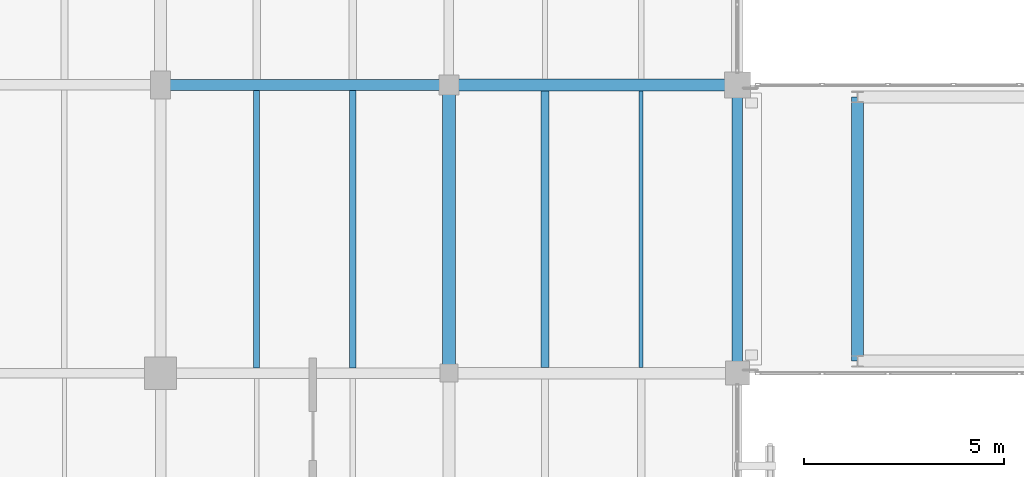
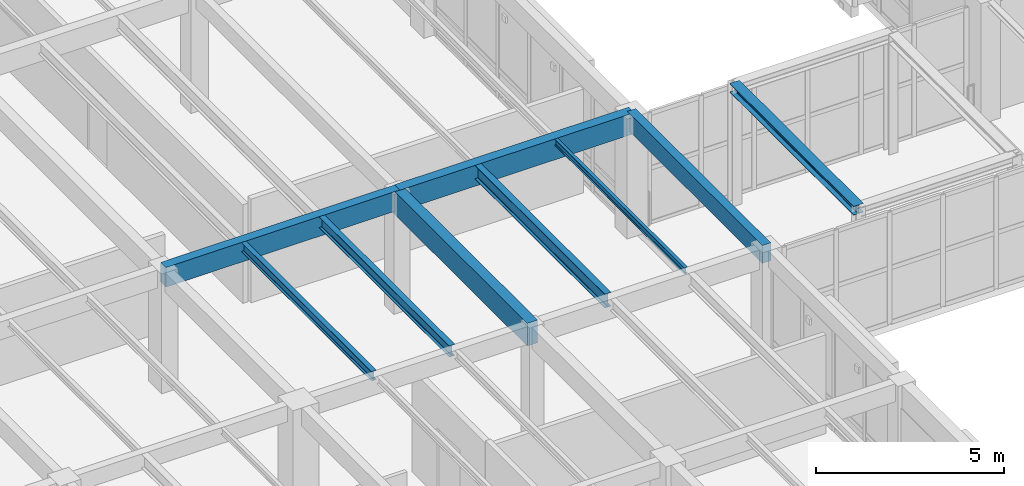
# One storey, part 65 of 170: 9 beams.
"""IFC4 building model written with IfcOpenShell, lengths in metres."""

from ifc_helpers import new_model, si_unit, direction, frame, origin, origin_2d, place, context, subcontext, project, spatial, rectangle, i_section, extrude, material, material_profile, profile_set, type_object, element, save


model = new_model("IFC4")

# Units and contexts
model_context = context("Model", 3, precision=1e-05, world=origin(), true_north=direction((0.0, 1.0)))
body_context = subcontext(model_context, "Body", "Model", "MODEL_VIEW")
ifc_project = project(units=[si_unit("LENGTHUNIT", "METRE"), si_unit("AREAUNIT", "SQUARE_METRE"), si_unit("VOLUMEUNIT", "CUBIC_METRE"), si_unit("PLANEANGLEUNIT", "RADIAN"), si_unit("MASSUNIT", "GRAM", prefix="KILO")], contexts=[model_context])

# Site, building, storey
site_placement = place(None, origin())
site = spatial("IfcSite", under=ifc_project, at=site_placement, CompositionType="ELEMENT")
building_placement = place(site_placement, origin())
building = spatial("IfcBuilding", under=site, at=building_placement, Name="Mazaris Harbour Polytechnic", CompositionType="ELEMENT")
storey_placement = place(building_placement, frame((0.0, 0.0, 5.39990234375)))
storey = spatial("IfcBuildingStorey", under=building, at=storey_placement, Name="L01", CompositionType="ELEMENT", Elevation=5.39990234375)

# Beams
ifc_material_1 = material(Name="Glulam GL32h", Category="wood")
ifc_material_profile_1 = material_profile(ifc_material_1, rectangle(XDim=0.260009765625, YDim=0.580078125, at=origin_2d()), Name="RECT260x580")
ifc_profile_set_1 = profile_set([ifc_material_profile_1], Name="Glulam GL32h")
beam_type_1 = type_object("IfcBeamType", Name="Glulam Girder 260x580 Exterior", PredefinedType="BEAM", material=ifc_profile_set_1)
beam_1_placement = place(storey_placement, frame((43.199951171875, 75.60009765625, 3.60009765625), z_axis=(0.0, 1.0, 0.0), x_axis=(-1.0, 0.0, 0.0)))
element("IfcBeam", 1, at=beam_1_placement, inside=storey, type_object=beam_type_1, Name="V4 L01 Tie Girder 1771", PredefinedType="BEAM", context=body_context, shape_type="SweptSolid", body=[
    extrude(rectangle(XDim=0.260009765625, YDim=0.580078125, at=origin_2d()), origin(), (0.0, 0.0, 1.0), 7.199951171875),
])
ifc_material_2 = material(Name="Glulam GL32h", Category="wood")
ifc_material_profile_2 = material_profile(ifc_material_2, rectangle(XDim=0.280029296875, YDim=0.639892578125, at=origin_2d()), Name="RECT280x640")
ifc_profile_set_2 = profile_set([ifc_material_profile_2], Name="Glulam GL32h")
beam_type_2 = type_object("IfcBeamType", Name="Glulam Girder 280x640", PredefinedType="BEAM", material=ifc_profile_set_2)
beam_2_placement = place(storey_placement, frame((28.800048828125, 82.800048828125, 3.570068359375), z_axis=(1.0, 0.0, 0.0), x_axis=(0.0, 1.0, 0.0)))
element("IfcBeam", 2, at=beam_2_placement, inside=storey, type_object=beam_type_2, Name="V4 L01 Girder 1682", PredefinedType="BEAM", context=body_context, shape_type="SweptSolid", body=[
    extrude(rectangle(XDim=0.280029296875, YDim=0.639892578125, at=origin_2d()), origin(), (0.0, 0.0, 1.0), 7.199951171875),
])
ifc_material_3 = material(Name="Glulam GL32h", Category="wood")
ifc_material_profile_3 = material_profile(ifc_material_3, rectangle(XDim=0.300048828125, YDim=0.679931640625, at=origin_2d()), Name="RECT300x680")
ifc_profile_set_3 = profile_set([ifc_material_profile_3], Name="Glulam GL32h")
beam_type_3 = type_object("IfcBeamType", Name="Glulam Girder 300x680", PredefinedType="BEAM", material=ifc_profile_set_3)
beam_3_placement = place(storey_placement, frame((36.0, 82.800048828125, 3.550048828125), z_axis=(1.0, 0.0, 0.0), x_axis=(0.0, 1.0, 0.0)))
element("IfcBeam", 3, at=beam_3_placement, inside=storey, type_object=beam_type_3, Name="V4 L01 Girder 1683", PredefinedType="BEAM", context=body_context, shape_type="SweptSolid", body=[
    extrude(rectangle(XDim=0.300048828125, YDim=0.679931640625, at=origin_2d()), origin(), (0.0, 0.0, 1.0), 7.199951171875),
])
ifc_material_4 = material(Name="Glulam GL32h", Category="wood")
ifc_material_profile_4 = material_profile(ifc_material_4, rectangle(XDim=0.320068359375, YDim=0.739990234375, at=origin_2d()), Name="RECT320x740")
ifc_profile_set_4 = profile_set([ifc_material_profile_4], Name="Glulam GL32h")
beam_type_4 = type_object("IfcBeamType", Name="Glulam Girder 320x740", PredefinedType="BEAM", material=ifc_profile_set_4)
beam_4_placement = place(storey_placement, frame((36.0, 75.60009765625, 3.52001953125), z_axis=(0.0, 1.0, 0.0), x_axis=(-1.0, 0.0, 0.0)))
element("IfcBeam", 4, at=beam_4_placement, inside=storey, type_object=beam_type_4, Name="V4 L01 Tie Girder 1759", PredefinedType="BEAM", context=body_context, shape_type="SweptSolid", body=[
    extrude(rectangle(XDim=0.320068359375, YDim=0.739990234375, at=origin_2d()), origin(), (0.0, 0.0, 1.0), 7.199951171875),
])
ifc_material_5 = material(Name="Steel S355", Category="steel")
ifc_material_profile_5 = material_profile(ifc_material_5, i_section(OverallWidth=0.300048828125, OverallDepth=0.2900390625, WebThickness=0.008544921875, FlangeThickness=0.013916015625, FilletRadius=0.027099609375, at=origin_2d()), Name="HEA 300")
ifc_profile_set_5 = profile_set([ifc_material_profile_5], Name="Steel S355")
beam_type_5 = type_object("IfcBeamType", Name="Steel Beam HEA300 Exterior", PredefinedType="SPANDREL", material=ifc_profile_set_5)
beam_5_placement = place(storey_placement, frame((46.199951171875, 75.89990234375, 3.7900390625), z_axis=(0.0, 1.0, 0.0), x_axis=(-1.0, 0.0, 0.0)))
element("IfcBeam", 5, at=beam_5_placement, inside=storey, type_object=beam_type_5, Name="PB-W2 L01 Bridge Beam 3428", PredefinedType="SPANDREL", context=body_context, shape_type="SweptSolid", body=[
    extrude(i_section(OverallWidth=0.300048828125, OverallDepth=0.2900390625, WebThickness=0.008544921875, FlangeThickness=0.013916015625, FilletRadius=0.027099609375, at=origin_2d()), origin(), (0.0, 0.0, 1.0), 6.60009765625),
])
ifc_material_6 = material(Name="Steel S355", Category="steel")
ifc_material_profile_6 = material_profile(ifc_material_6, i_section(OverallWidth=0.10009765625, OverallDepth=0.199951171875, WebThickness=0.005615234375, FlangeThickness=0.008544921875, FilletRadius=0.011962890625, at=origin_2d()), Name="IPE 200")
ifc_profile_set_6 = profile_set([ifc_material_profile_6], Name="Steel S355")
beam_type_6 = type_object("IfcBeamType", Name="Steel Joist IPE200", PredefinedType="JOIST", material=ifc_profile_set_6)
beam_6_placement = place(storey_placement, frame((40.800048828125, 75.739990234375, 3.7900390625), z_axis=(0.0, 1.0, 0.0), x_axis=(-1.0, 0.0, 0.0)))
element("IfcBeam", 6, at=beam_6_placement, inside=storey, type_object=beam_type_6, Name="V4 L01 Floor Joist 1890", PredefinedType="JOIST", context=body_context, shape_type="SweptSolid", body=[
    extrude(i_section(OverallWidth=0.10009765625, OverallDepth=0.199951171875, WebThickness=0.005615234375, FlangeThickness=0.008544921875, FilletRadius=0.011962890625, at=origin_2d()), origin(), (0.0, 0.0, 1.0), 6.909912109375),
])
ifc_material_7 = material(Name="Steel S355", Category="steel")
ifc_material_profile_7 = material_profile(ifc_material_7, i_section(OverallWidth=0.14990234375, OverallDepth=0.300048828125, WebThickness=0.007080078125, FlangeThickness=0.0107421875, FilletRadius=0.014892578125, at=origin_2d()), Name="IPE 300")
ifc_profile_set_7 = profile_set([ifc_material_profile_7], Name="Steel S355")
beam_type_7 = type_object("IfcBeamType", Name="Steel Joist IPE300", PredefinedType="JOIST", material=ifc_profile_set_7)
beam_7_placement = place(storey_placement, frame((31.199951171875, 75.72998046875, 3.739990234375), z_axis=(0.0, 1.0, 0.0), x_axis=(-1.0, 0.0, 0.0)))
element("IfcBeam", 7, at=beam_7_placement, inside=storey, type_object=beam_type_7, Name="V4 L01 Floor Joist 1865", PredefinedType="JOIST", context=body_context, shape_type="SweptSolid", body=[
    extrude(i_section(OverallWidth=0.14990234375, OverallDepth=0.300048828125, WebThickness=0.007080078125, FlangeThickness=0.0107421875, FilletRadius=0.014892578125, at=origin_2d()), origin(), (0.0, 0.0, 1.0), 6.929931640625),
])
ifc_material_8 = material(Name="Steel S355", Category="steel")
ifc_material_profile_8 = material_profile(ifc_material_8, i_section(OverallWidth=0.169921875, OverallDepth=0.360107421875, WebThickness=0.008056640625, FlangeThickness=0.0126953125, FilletRadius=0.01806640625, at=origin_2d()), Name="IPE 360")
ifc_profile_set_8 = profile_set([ifc_material_profile_8], Name="Steel S355")
beam_type_8 = type_object("IfcBeamType", Name="Steel Joist IPE360", PredefinedType="JOIST", material=ifc_profile_set_8)
beam_8_placement = place(storey_placement, frame((33.60009765625, 75.72998046875, 3.710205078125), z_axis=(0.0, 1.0, 0.0), x_axis=(-1.0, 0.0, 0.0)))
element("IfcBeam", 8, at=beam_8_placement, inside=storey, type_object=beam_type_8, Name="V4 L01 Floor Joist 1866", PredefinedType="JOIST", context=body_context, shape_type="SweptSolid", body=[
    extrude(i_section(OverallWidth=0.169921875, OverallDepth=0.360107421875, WebThickness=0.008056640625, FlangeThickness=0.0126953125, FilletRadius=0.01806640625, at=origin_2d()), origin(), (0.0, 0.0, 1.0), 6.929931640625),
])
ifc_material_9 = material(Name="Steel S355", Category="steel")
ifc_material_profile_9 = material_profile(ifc_material_9, i_section(OverallWidth=0.18994140625, OverallDepth=0.449951171875, WebThickness=0.009521484375, FlangeThickness=0.0146484375, FilletRadius=0.02099609375, at=origin_2d()), Name="IPE 450")
ifc_profile_set_9 = profile_set([ifc_material_profile_9], Name="Steel S355")
beam_type_9 = type_object("IfcBeamType", Name="Steel Joist IPE450", PredefinedType="JOIST", material=ifc_profile_set_9)
beam_9_placement = place(storey_placement, frame((38.39990234375, 75.739990234375, 3.6650390625), z_axis=(0.0, 1.0, 0.0), x_axis=(-1.0, 0.0, 0.0)))
element("IfcBeam", 9, at=beam_9_placement, inside=storey, type_object=beam_type_9, Name="V4 L01 Floor Joist 1889", PredefinedType="JOIST", context=body_context, shape_type="SweptSolid", body=[
    extrude(i_section(OverallWidth=0.18994140625, OverallDepth=0.449951171875, WebThickness=0.009521484375, FlangeThickness=0.0146484375, FilletRadius=0.02099609375, at=origin_2d()), origin(), (0.0, 0.0, 1.0), 6.909912109375),
])

save(model, "model.ifc")
